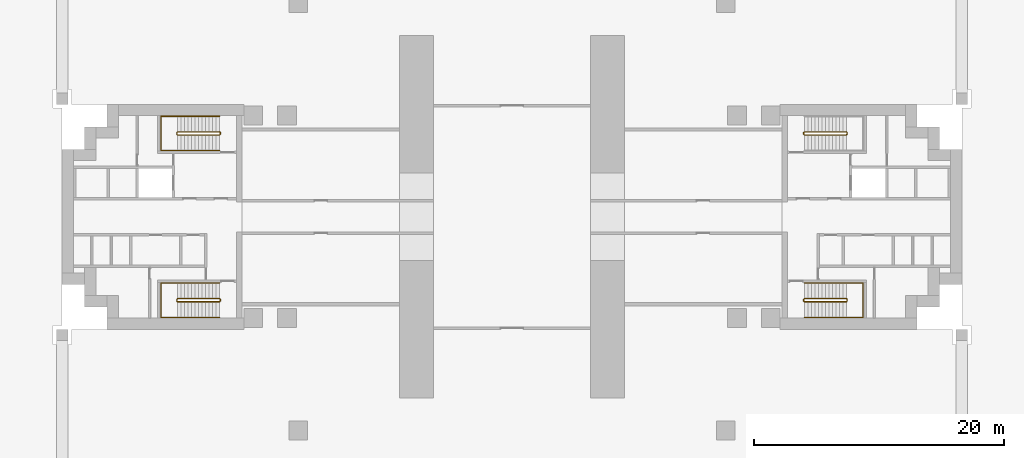
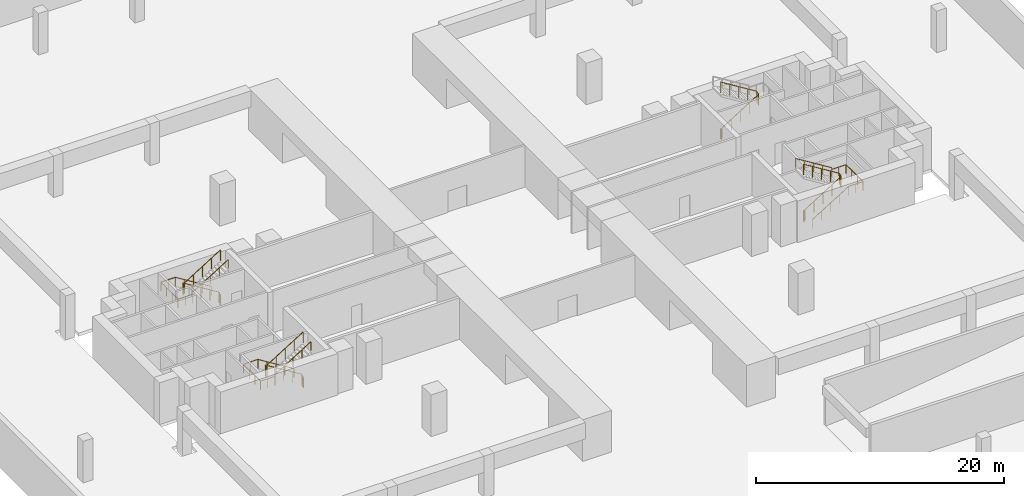
# One storey, part 8 of 9: 7 railings.
"""IFC4 building model written with IfcOpenShell, lengths in metres."""

from ifc_helpers import new_model, si_unit, direction, frame, origin, origin_2d, place, context, subcontext, project, spatial, rectangle, extrude, material, type_object, element, save


model = new_model("IFC4")

# Units and contexts
model_context = context("Model", 3, precision=1e-05, world=origin(), true_north=direction((0.0, 1.0)))
body_context = subcontext(model_context, "Body", "Model", "MODEL_VIEW")
ifc_project = project(units=[si_unit("LENGTHUNIT", "METRE"), si_unit("AREAUNIT", "SQUARE_METRE"), si_unit("VOLUMEUNIT", "CUBIC_METRE"), si_unit("PLANEANGLEUNIT", "RADIAN"), si_unit("MASSUNIT", "GRAM", prefix="KILO")], contexts=[model_context])

# Site, building, storey
site_placement = place(None, origin())
site = spatial("IfcSite", under=ifc_project, at=site_placement, CompositionType="ELEMENT")
building_placement = place(site_placement, origin())
building = spatial("IfcBuilding", under=site, at=building_placement, Name="Perihelion Cross Residences", CompositionType="ELEMENT")
storey_placement = place(building_placement, frame((0.0, 0.0, -4.5)))
storey = spatial("IfcBuildingStorey", under=building, at=storey_placement, Name="B1", CompositionType="ELEMENT", Elevation=-4.5)

# Railings
ifc_material_1 = material(Name="Stainless steel", Category="steel")
railing_type_1 = type_object("IfcRailingType", Name="Stair guard 1100", PredefinedType="GUARDRAIL", material=ifc_material_1)
railing_1_placement = place(storey_placement, frame((23.35009765625, 6.75, 0.0)))
element("IfcRailing", 1, at=railing_1_placement, inside=storey, type_object=railing_type_1, Name="B1 ST-E1 stair guard 1", PredefinedType="GUARDRAIL", context=body_context, shape_type="SweptSolid", body=[
    extrude(rectangle(XDim=0.048095703125, YDim=0.048095703125, at=origin_2d()), frame((0.0, 0.0, 1.076171875), z_axis=(0.0, -1.0, 0.0), x_axis=(1.0, 0.0, 0.0)), (0.0, 0.0, 1.0), 0.14990234375),
    extrude(rectangle(XDim=0.048095703125, YDim=0.048095703125, at=origin_2d()), frame((0.0, -0.14990234375, 1.076171875), z_axis=(0.266417085129, -0.267723051232, 0.925929967433), x_axis=(0.708833529934, 0.705375805398, 0.0)), (0.0, 0.0, 1.0), 0.18701171875),
    extrude(rectangle(XDim=0.048095703125, YDim=0.048095703125, at=origin_2d()), frame((0.0498046875, -0.199951171875, 1.2490234375), z_axis=(0.850623216509, 0.0, 0.525775754039), x_axis=(0.0, 1.0, 0.0)), (0.0, 0.0, 1.0), 3.9501953125),
    extrude(rectangle(XDim=0.048095703125, YDim=0.048095703125, at=origin_2d()), frame((3.409912109375, -0.199951171875, 3.326171875), z_axis=(0.707106781187, 0.707106781187, 0.0), x_axis=(-0.707106781187, 0.707106781187, 0.0)), (0.0, 0.0, 1.0), 0.07080078125),
    extrude(rectangle(XDim=0.048095703125, YDim=0.048095703125, at=origin_2d()), frame((3.4599609375, -0.14990234375, 3.326171875), z_axis=(0.0, 1.0, 0.0), x_axis=(-1.0, 0.0, 0.0)), (0.0, 0.0, 1.0), 0.14990234375),
    extrude(rectangle(XDim=0.048095703125, YDim=0.048095703125, at=origin_2d()), frame((3.4599609375, 0.0, 3.326171875), z_axis=(-0.267629722418, 0.267629722418, 0.925607186314), x_axis=(-0.707106781187, -0.707106781187, 0.0)), (0.0, 0.0, 1.0), 0.18701171875),
    extrude(rectangle(XDim=0.048095703125, YDim=0.048095703125, at=origin_2d()), frame((3.409912109375, 0.050048828125, 3.4990234375), z_axis=(-0.850623216509, 0.0, 0.525775754039), x_axis=(0.0, -1.0, 0.0)), (0.0, 0.0, 1.0), 3.9501953125),
    extrude(rectangle(XDim=0.0419921875, YDim=0.0419921875, at=origin_2d()), origin(), (0.0, 0.0, 1.0), 1.052001953125),
    extrude(rectangle(XDim=0.0419921875, YDim=0.0419921875, at=origin_2d()), frame((0.0, -0.14990234375, 0.0)), (0.0, 0.0, 1.0), 1.052001953125),
    extrude(rectangle(XDim=0.0419921875, YDim=0.0419921875, at=origin_2d()), frame((0.0498046875, -0.199951171875, 0.173095703125)), (0.0, 0.0, 1.0), 1.052001953125),
    extrude(rectangle(XDim=0.0419921875, YDim=0.0419921875, at=origin_2d()), frame((0.889892578125, -0.199951171875, 0.6923828125)), (0.0, 0.0, 1.0), 1.052001953125),
    extrude(rectangle(XDim=0.0419921875, YDim=0.0419921875, at=origin_2d()), frame((1.72998046875, -0.199951171875, 1.21142578125)), (0.0, 0.0, 1.0), 1.052001953125),
    extrude(rectangle(XDim=0.0419921875, YDim=0.0419921875, at=origin_2d()), frame((2.56982421875, -0.199951171875, 1.730712890625)), (0.0, 0.0, 1.0), 1.052001953125),
    extrude(rectangle(XDim=0.0419921875, YDim=0.0419921875, at=origin_2d()), frame((3.409912109375, -0.199951171875, 2.25)), (0.0, 0.0, 1.0), 1.052001953125),
    extrude(rectangle(XDim=0.0419921875, YDim=0.0419921875, at=origin_2d()), frame((3.4599609375, -0.14990234375, 2.25)), (0.0, 0.0, 1.0), 1.052001953125),
    extrude(rectangle(XDim=0.0419921875, YDim=0.0419921875, at=origin_2d()), frame((3.4599609375, 0.0, 2.25)), (0.0, 0.0, 1.0), 1.052001953125),
    extrude(rectangle(XDim=0.0419921875, YDim=0.0419921875, at=origin_2d()), frame((3.409912109375, 0.050048828125, 2.423095703125)), (0.0, 0.0, 1.0), 1.052001953125),
    extrude(rectangle(XDim=0.0419921875, YDim=0.0419921875, at=origin_2d()), frame((2.56982421875, 0.050048828125, 2.9423828125)), (0.0, 0.0, 1.0), 1.052001953125),
    extrude(rectangle(XDim=0.0419921875, YDim=0.0419921875, at=origin_2d()), frame((1.72998046875, 0.050048828125, 3.46142578125)), (0.0, 0.0, 1.0), 1.052001953125),
    extrude(rectangle(XDim=0.0419921875, YDim=0.0419921875, at=origin_2d()), frame((0.889892578125, 0.050048828125, 3.980712890625)), (0.0, 0.0, 1.0), 1.052001953125),
    extrude(rectangle(XDim=0.0419921875, YDim=0.0419921875, at=origin_2d()), frame((0.0498046875, 0.050048828125, 4.5)), (0.0, 0.0, 1.0), 1.052001953125),
])
railing_2_placement = place(storey_placement, frame((23.35009765625, -6.60009765625, 0.0)))
element("IfcRailing", 2, at=railing_2_placement, inside=storey, type_object=railing_type_1, Name="B1 ST-E2 stair guard 1", PredefinedType="GUARDRAIL", context=body_context, shape_type="SweptSolid", body=[
    extrude(rectangle(XDim=0.048095703125, YDim=0.048095703125, at=origin_2d()), frame((0.0, 0.0, 1.076171875), z_axis=(0.0, -1.0, 0.0), x_axis=(1.0, 0.0, 0.0)), (0.0, 0.0, 1.0), 0.14990234375),
    extrude(rectangle(XDim=0.048095703125, YDim=0.048095703125, at=origin_2d()), frame((0.0, -0.14990234375, 1.076171875), z_axis=(0.266417085129, -0.267723051232, 0.925929967433), x_axis=(0.708833529934, 0.705375805398, 0.0)), (0.0, 0.0, 1.0), 0.18701171875),
    extrude(rectangle(XDim=0.048095703125, YDim=0.048095703125, at=origin_2d()), frame((0.0498046875, -0.199951171875, 1.2490234375), z_axis=(0.850623216509, 0.0, 0.525775754039), x_axis=(0.0, 1.0, 0.0)), (0.0, 0.0, 1.0), 3.9501953125),
    extrude(rectangle(XDim=0.048095703125, YDim=0.048095703125, at=origin_2d()), frame((3.409912109375, -0.199951171875, 3.326171875), z_axis=(0.707106781187, 0.707106781187, 0.0), x_axis=(-0.707106781187, 0.707106781187, 0.0)), (0.0, 0.0, 1.0), 0.07080078125),
    extrude(rectangle(XDim=0.048095703125, YDim=0.048095703125, at=origin_2d()), frame((3.4599609375, -0.14990234375, 3.326171875), z_axis=(0.0, 1.0, 0.0), x_axis=(-1.0, 0.0, 0.0)), (0.0, 0.0, 1.0), 0.14990234375),
    extrude(rectangle(XDim=0.048095703125, YDim=0.048095703125, at=origin_2d()), frame((3.4599609375, 0.0, 3.326171875), z_axis=(-0.267629722418, 0.267629722418, 0.925607186314), x_axis=(-0.707106781187, -0.707106781187, 0.0)), (0.0, 0.0, 1.0), 0.18701171875),
    extrude(rectangle(XDim=0.048095703125, YDim=0.048095703125, at=origin_2d()), frame((3.409912109375, 0.050048828125, 3.4990234375), z_axis=(-0.850623216509, 0.0, 0.525775754039), x_axis=(0.0, -1.0, 0.0)), (0.0, 0.0, 1.0), 3.9501953125),
    extrude(rectangle(XDim=0.0419921875, YDim=0.0419921875, at=origin_2d()), origin(), (0.0, 0.0, 1.0), 1.052001953125),
    extrude(rectangle(XDim=0.0419921875, YDim=0.0419921875, at=origin_2d()), frame((0.0, -0.14990234375, 0.0)), (0.0, 0.0, 1.0), 1.052001953125),
    extrude(rectangle(XDim=0.0419921875, YDim=0.0419921875, at=origin_2d()), frame((0.0498046875, -0.199951171875, 0.173095703125)), (0.0, 0.0, 1.0), 1.052001953125),
    extrude(rectangle(XDim=0.0419921875, YDim=0.0419921875, at=origin_2d()), frame((0.889892578125, -0.199951171875, 0.6923828125)), (0.0, 0.0, 1.0), 1.052001953125),
    extrude(rectangle(XDim=0.0419921875, YDim=0.0419921875, at=origin_2d()), frame((1.72998046875, -0.199951171875, 1.21142578125)), (0.0, 0.0, 1.0), 1.052001953125),
    extrude(rectangle(XDim=0.0419921875, YDim=0.0419921875, at=origin_2d()), frame((2.56982421875, -0.199951171875, 1.730712890625)), (0.0, 0.0, 1.0), 1.052001953125),
    extrude(rectangle(XDim=0.0419921875, YDim=0.0419921875, at=origin_2d()), frame((3.409912109375, -0.199951171875, 2.25)), (0.0, 0.0, 1.0), 1.052001953125),
    extrude(rectangle(XDim=0.0419921875, YDim=0.0419921875, at=origin_2d()), frame((3.4599609375, -0.14990234375, 2.25)), (0.0, 0.0, 1.0), 1.052001953125),
    extrude(rectangle(XDim=0.0419921875, YDim=0.0419921875, at=origin_2d()), frame((3.4599609375, 0.0, 2.25)), (0.0, 0.0, 1.0), 1.052001953125),
    extrude(rectangle(XDim=0.0419921875, YDim=0.0419921875, at=origin_2d()), frame((3.409912109375, 0.050048828125, 2.423095703125)), (0.0, 0.0, 1.0), 1.052001953125),
    extrude(rectangle(XDim=0.0419921875, YDim=0.0419921875, at=origin_2d()), frame((2.56982421875, 0.050048828125, 2.9423828125)), (0.0, 0.0, 1.0), 1.052001953125),
    extrude(rectangle(XDim=0.0419921875, YDim=0.0419921875, at=origin_2d()), frame((1.72998046875, 0.050048828125, 3.46142578125)), (0.0, 0.0, 1.0), 1.052001953125),
    extrude(rectangle(XDim=0.0419921875, YDim=0.0419921875, at=origin_2d()), frame((0.889892578125, 0.050048828125, 3.980712890625)), (0.0, 0.0, 1.0), 1.052001953125),
    extrude(rectangle(XDim=0.0419921875, YDim=0.0419921875, at=origin_2d()), frame((0.0498046875, 0.050048828125, 4.5)), (0.0, 0.0, 1.0), 1.052001953125),
])
railing_3_placement = place(storey_placement, frame((-23.35009765625, 6.60009765625, 0.0)))
element("IfcRailing", 3, at=railing_3_placement, inside=storey, type_object=railing_type_1, Name="B1 ST-W1 stair guard 1", PredefinedType="GUARDRAIL", context=body_context, shape_type="SweptSolid", body=[
    extrude(rectangle(XDim=0.048095703125, YDim=0.048095703125, at=origin_2d()), frame((0.0, 0.0, 1.076171875), z_axis=(0.0, 1.0, 0.0), x_axis=(-1.0, 0.0, 0.0)), (0.0, 0.0, 1.0), 0.14990234375),
    extrude(rectangle(XDim=0.048095703125, YDim=0.048095703125, at=origin_2d()), frame((0.0, 0.14990234375, 1.076171875), z_axis=(-0.266417085129, 0.267723051232, 0.925929967433), x_axis=(-0.708833529934, -0.705375805398, 0.0)), (0.0, 0.0, 1.0), 0.18701171875),
    extrude(rectangle(XDim=0.048095703125, YDim=0.048095703125, at=origin_2d()), frame((-0.0498046875, 0.199951171875, 1.2490234375), z_axis=(-0.850623216509, 0.0, 0.525775754039), x_axis=(0.0, -1.0, 0.0)), (0.0, 0.0, 1.0), 3.9501953125),
    extrude(rectangle(XDim=0.048095703125, YDim=0.048095703125, at=origin_2d()), frame((-3.409912109375, 0.199951171875, 3.326171875), z_axis=(-0.707106781187, -0.707106781187, 0.0), x_axis=(0.707106781187, -0.707106781187, 0.0)), (0.0, 0.0, 1.0), 0.07080078125),
    extrude(rectangle(XDim=0.048095703125, YDim=0.048095703125, at=origin_2d()), frame((-3.4599609375, 0.14990234375, 3.326171875), z_axis=(0.0, -1.0, 0.0), x_axis=(1.0, 0.0, 0.0)), (0.0, 0.0, 1.0), 0.14990234375),
    extrude(rectangle(XDim=0.048095703125, YDim=0.048095703125, at=origin_2d()), frame((-3.4599609375, 0.0, 3.326171875), z_axis=(0.267629722418, -0.267629722418, 0.925607186314), x_axis=(0.707106781187, 0.707106781187, 0.0)), (0.0, 0.0, 1.0), 0.18701171875),
    extrude(rectangle(XDim=0.048095703125, YDim=0.048095703125, at=origin_2d()), frame((-3.409912109375, -0.050048828125, 3.4990234375), z_axis=(0.850623216509, 0.0, 0.525775754039), x_axis=(0.0, 1.0, 0.0)), (0.0, 0.0, 1.0), 3.9501953125),
    extrude(rectangle(XDim=0.0419921875, YDim=0.0419921875, at=origin_2d()), origin(), (0.0, 0.0, 1.0), 1.052001953125),
    extrude(rectangle(XDim=0.0419921875, YDim=0.0419921875, at=origin_2d()), frame((0.0, 0.14990234375, 0.0)), (0.0, 0.0, 1.0), 1.052001953125),
    extrude(rectangle(XDim=0.0419921875, YDim=0.0419921875, at=origin_2d()), frame((-0.0498046875, 0.199951171875, 0.173095703125)), (0.0, 0.0, 1.0), 1.052001953125),
    extrude(rectangle(XDim=0.0419921875, YDim=0.0419921875, at=origin_2d()), frame((-0.889892578125, 0.199951171875, 0.6923828125)), (0.0, 0.0, 1.0), 1.052001953125),
    extrude(rectangle(XDim=0.0419921875, YDim=0.0419921875, at=origin_2d()), frame((-1.72998046875, 0.199951171875, 1.21142578125)), (0.0, 0.0, 1.0), 1.052001953125),
    extrude(rectangle(XDim=0.0419921875, YDim=0.0419921875, at=origin_2d()), frame((-2.56982421875, 0.199951171875, 1.730712890625)), (0.0, 0.0, 1.0), 1.052001953125),
    extrude(rectangle(XDim=0.0419921875, YDim=0.0419921875, at=origin_2d()), frame((-3.409912109375, 0.199951171875, 2.25)), (0.0, 0.0, 1.0), 1.052001953125),
    extrude(rectangle(XDim=0.0419921875, YDim=0.0419921875, at=origin_2d()), frame((-3.4599609375, 0.14990234375, 2.25)), (0.0, 0.0, 1.0), 1.052001953125),
    extrude(rectangle(XDim=0.0419921875, YDim=0.0419921875, at=origin_2d()), frame((-3.4599609375, 0.0, 2.25)), (0.0, 0.0, 1.0), 1.052001953125),
    extrude(rectangle(XDim=0.0419921875, YDim=0.0419921875, at=origin_2d()), frame((-3.409912109375, -0.050048828125, 2.423095703125)), (0.0, 0.0, 1.0), 1.052001953125),
    extrude(rectangle(XDim=0.0419921875, YDim=0.0419921875, at=origin_2d()), frame((-2.56982421875, -0.050048828125, 2.9423828125)), (0.0, 0.0, 1.0), 1.052001953125),
    extrude(rectangle(XDim=0.0419921875, YDim=0.0419921875, at=origin_2d()), frame((-1.72998046875, -0.050048828125, 3.46142578125)), (0.0, 0.0, 1.0), 1.052001953125),
    extrude(rectangle(XDim=0.0419921875, YDim=0.0419921875, at=origin_2d()), frame((-0.889892578125, -0.050048828125, 3.980712890625)), (0.0, 0.0, 1.0), 1.052001953125),
    extrude(rectangle(XDim=0.0419921875, YDim=0.0419921875, at=origin_2d()), frame((-0.0498046875, -0.050048828125, 4.5)), (0.0, 0.0, 1.0), 1.052001953125),
])
railing_4_placement = place(storey_placement, frame((-23.35009765625, -6.75, 0.0)))
element("IfcRailing", 4, at=railing_4_placement, inside=storey, type_object=railing_type_1, Name="B1 ST-W2 stair guard 1", PredefinedType="GUARDRAIL", context=body_context, shape_type="SweptSolid", body=[
    extrude(rectangle(XDim=0.048095703125, YDim=0.048095703125, at=origin_2d()), frame((0.0, 0.0, 1.076171875), z_axis=(0.0, 1.0, 0.0), x_axis=(-1.0, 0.0, 0.0)), (0.0, 0.0, 1.0), 0.14990234375),
    extrude(rectangle(XDim=0.048095703125, YDim=0.048095703125, at=origin_2d()), frame((0.0, 0.14990234375, 1.076171875), z_axis=(-0.266417085129, 0.267723051232, 0.925929967433), x_axis=(-0.708833529934, -0.705375805398, 0.0)), (0.0, 0.0, 1.0), 0.18701171875),
    extrude(rectangle(XDim=0.048095703125, YDim=0.048095703125, at=origin_2d()), frame((-0.0498046875, 0.199951171875, 1.2490234375), z_axis=(-0.850623216509, 0.0, 0.525775754039), x_axis=(0.0, -1.0, 0.0)), (0.0, 0.0, 1.0), 3.9501953125),
    extrude(rectangle(XDim=0.048095703125, YDim=0.048095703125, at=origin_2d()), frame((-3.409912109375, 0.199951171875, 3.326171875), z_axis=(-0.707106781187, -0.707106781187, 0.0), x_axis=(0.707106781187, -0.707106781187, 0.0)), (0.0, 0.0, 1.0), 0.07080078125),
    extrude(rectangle(XDim=0.048095703125, YDim=0.048095703125, at=origin_2d()), frame((-3.4599609375, 0.14990234375, 3.326171875), z_axis=(0.0, -1.0, 0.0), x_axis=(1.0, 0.0, 0.0)), (0.0, 0.0, 1.0), 0.14990234375),
    extrude(rectangle(XDim=0.048095703125, YDim=0.048095703125, at=origin_2d()), frame((-3.4599609375, 0.0, 3.326171875), z_axis=(0.267629722418, -0.267629722418, 0.925607186314), x_axis=(0.707106781187, 0.707106781187, 0.0)), (0.0, 0.0, 1.0), 0.18701171875),
    extrude(rectangle(XDim=0.048095703125, YDim=0.048095703125, at=origin_2d()), frame((-3.409912109375, -0.050048828125, 3.4990234375), z_axis=(0.850623216509, 0.0, 0.525775754039), x_axis=(0.0, 1.0, 0.0)), (0.0, 0.0, 1.0), 3.9501953125),
    extrude(rectangle(XDim=0.0419921875, YDim=0.0419921875, at=origin_2d()), origin(), (0.0, 0.0, 1.0), 1.052001953125),
    extrude(rectangle(XDim=0.0419921875, YDim=0.0419921875, at=origin_2d()), frame((0.0, 0.14990234375, 0.0)), (0.0, 0.0, 1.0), 1.052001953125),
    extrude(rectangle(XDim=0.0419921875, YDim=0.0419921875, at=origin_2d()), frame((-0.0498046875, 0.199951171875, 0.173095703125)), (0.0, 0.0, 1.0), 1.052001953125),
    extrude(rectangle(XDim=0.0419921875, YDim=0.0419921875, at=origin_2d()), frame((-0.889892578125, 0.199951171875, 0.6923828125)), (0.0, 0.0, 1.0), 1.052001953125),
    extrude(rectangle(XDim=0.0419921875, YDim=0.0419921875, at=origin_2d()), frame((-1.72998046875, 0.199951171875, 1.21142578125)), (0.0, 0.0, 1.0), 1.052001953125),
    extrude(rectangle(XDim=0.0419921875, YDim=0.0419921875, at=origin_2d()), frame((-2.56982421875, 0.199951171875, 1.730712890625)), (0.0, 0.0, 1.0), 1.052001953125),
    extrude(rectangle(XDim=0.0419921875, YDim=0.0419921875, at=origin_2d()), frame((-3.409912109375, 0.199951171875, 2.25)), (0.0, 0.0, 1.0), 1.052001953125),
    extrude(rectangle(XDim=0.0419921875, YDim=0.0419921875, at=origin_2d()), frame((-3.4599609375, 0.14990234375, 2.25)), (0.0, 0.0, 1.0), 1.052001953125),
    extrude(rectangle(XDim=0.0419921875, YDim=0.0419921875, at=origin_2d()), frame((-3.4599609375, 0.0, 2.25)), (0.0, 0.0, 1.0), 1.052001953125),
    extrude(rectangle(XDim=0.0419921875, YDim=0.0419921875, at=origin_2d()), frame((-3.409912109375, -0.050048828125, 2.423095703125)), (0.0, 0.0, 1.0), 1.052001953125),
    extrude(rectangle(XDim=0.0419921875, YDim=0.0419921875, at=origin_2d()), frame((-2.56982421875, -0.050048828125, 2.9423828125)), (0.0, 0.0, 1.0), 1.052001953125),
    extrude(rectangle(XDim=0.0419921875, YDim=0.0419921875, at=origin_2d()), frame((-1.72998046875, -0.050048828125, 3.46142578125)), (0.0, 0.0, 1.0), 1.052001953125),
    extrude(rectangle(XDim=0.0419921875, YDim=0.0419921875, at=origin_2d()), frame((-0.889892578125, -0.050048828125, 3.980712890625)), (0.0, 0.0, 1.0), 1.052001953125),
    extrude(rectangle(XDim=0.0419921875, YDim=0.0419921875, at=origin_2d()), frame((-0.0498046875, -0.050048828125, 4.5)), (0.0, 0.0, 1.0), 1.052001953125),
])
ifc_material_2 = material(Name="Stainless steel", Category="steel")
railing_type_2 = type_object("IfcRailingType", Name="Stair handrail 900", PredefinedType="HANDRAIL", material=ifc_material_2)
railing_5_placement = place(storey_placement, frame((23.39990234375, -8.050048828125, 0.173095703125)))
element("IfcRailing", 5, at=railing_5_placement, inside=storey, type_object=railing_type_2, Name="B1 ST-E2 stair handrail 1", PredefinedType="HANDRAIL", context=body_context, shape_type="SweptSolid", body=[
    extrude(rectangle(XDim=0.048095703125, YDim=0.048095703125, at=origin_2d()), frame((0.0, 0.0, 0.8759765625), z_axis=(0.850623216509, 0.0, 0.525775754039), x_axis=(0.0, 1.0, 0.0)), (0.0, 0.0, 1.0), 3.9501953125),
    extrude(rectangle(XDim=0.048095703125, YDim=0.048095703125, at=origin_2d()), frame((3.360107421875, 0.0, 2.95263671875), z_axis=(1.0, 0.0, 0.0), x_axis=(0.0, 1.0, 0.0)), (0.0, 0.0, 1.0), 1.340087890625),
    extrude(rectangle(XDim=0.048095703125, YDim=0.048095703125, at=origin_2d()), frame((4.7001953125, 0.0, 2.95263671875), z_axis=(0.0, 1.0, 0.0), x_axis=(-1.0, 0.0, 0.0)), (0.0, 0.0, 1.0), 2.75),
    extrude(rectangle(XDim=0.048095703125, YDim=0.048095703125, at=origin_2d()), frame((4.7001953125, 2.75, 2.95263671875), z_axis=(-1.0, 0.0, 0.0), x_axis=(0.0, -1.0, 0.0)), (0.0, 0.0, 1.0), 1.340087890625),
    extrude(rectangle(XDim=0.048095703125, YDim=0.048095703125, at=origin_2d()), frame((3.360107421875, 2.75, 2.95263671875), z_axis=(0.0, 0.0, 1.0), x_axis=(1.0, 0.0, 0.0)), (0.0, 0.0, 1.0), 0.173095703125),
    extrude(rectangle(XDim=0.048095703125, YDim=0.048095703125, at=origin_2d()), frame((3.360107421875, 2.75, 3.1259765625), z_axis=(-0.850623216509, 0.0, 0.525775754039), x_axis=(0.0, -1.0, 0.0)), (0.0, 0.0, 1.0), 3.9501953125),
    extrude(rectangle(XDim=0.0419921875, YDim=0.0419921875, at=origin_2d()), origin(), (0.0, 0.0, 1.0), 0.851806640625),
    extrude(rectangle(XDim=0.0419921875, YDim=0.0419921875, at=origin_2d()), frame((0.840087890625, 0.0, 0.519287109375)), (0.0, 0.0, 1.0), 0.851806640625),
    extrude(rectangle(XDim=0.0419921875, YDim=0.0419921875, at=origin_2d()), frame((1.68017578125, 0.0, 1.03857421875)), (0.0, 0.0, 1.0), 0.851806640625),
    extrude(rectangle(XDim=0.0419921875, YDim=0.0419921875, at=origin_2d()), frame((2.52001953125, 0.0, 1.5576171875)), (0.0, 0.0, 1.0), 0.851806640625),
    extrude(rectangle(XDim=0.0419921875, YDim=0.0419921875, at=origin_2d()), frame((3.360107421875, 0.0, 2.076904296875)), (0.0, 0.0, 1.0), 0.851806640625),
    extrude(rectangle(XDim=0.0419921875, YDim=0.0419921875, at=origin_2d()), frame((4.0302734375, 0.0, 2.076904296875)), (0.0, 0.0, 1.0), 0.851806640625),
    extrude(rectangle(XDim=0.0419921875, YDim=0.0419921875, at=origin_2d()), frame((4.7001953125, 0.0, 2.076904296875)), (0.0, 0.0, 1.0), 0.851806640625),
    extrude(rectangle(XDim=0.0419921875, YDim=0.0419921875, at=origin_2d()), frame((4.7001953125, 0.916748046875, 2.076904296875)), (0.0, 0.0, 1.0), 0.851806640625),
    extrude(rectangle(XDim=0.0419921875, YDim=0.0419921875, at=origin_2d()), frame((4.7001953125, 1.833251953125, 2.076904296875)), (0.0, 0.0, 1.0), 0.851806640625),
    extrude(rectangle(XDim=0.0419921875, YDim=0.0419921875, at=origin_2d()), frame((4.7001953125, 2.75, 2.076904296875)), (0.0, 0.0, 1.0), 0.851806640625),
    extrude(rectangle(XDim=0.0419921875, YDim=0.0419921875, at=origin_2d()), frame((4.0302734375, 2.75, 2.076904296875)), (0.0, 0.0, 1.0), 0.851806640625),
    extrude(rectangle(XDim=0.0419921875, YDim=0.0419921875, at=origin_2d()), frame((3.360107421875, 2.75, 2.076904296875)), (0.0, 0.0, 1.0), 0.851806640625),
    extrude(rectangle(XDim=0.0419921875, YDim=0.0419921875, at=origin_2d()), frame((3.360107421875, 2.75, 2.25)), (0.0, 0.0, 1.0), 0.851806640625),
    extrude(rectangle(XDim=0.0419921875, YDim=0.0419921875, at=origin_2d()), frame((2.52001953125, 2.75, 2.769287109375)), (0.0, 0.0, 1.0), 0.851806640625),
    extrude(rectangle(XDim=0.0419921875, YDim=0.0419921875, at=origin_2d()), frame((1.68017578125, 2.75, 3.28857421875)), (0.0, 0.0, 1.0), 0.851806640625),
    extrude(rectangle(XDim=0.0419921875, YDim=0.0419921875, at=origin_2d()), frame((0.840087890625, 2.75, 3.8076171875)), (0.0, 0.0, 1.0), 0.851806640625),
    extrude(rectangle(XDim=0.0419921875, YDim=0.0419921875, at=origin_2d()), frame((0.0, 2.75, 4.326904296875)), (0.0, 0.0, 1.0), 0.851806640625),
])
railing_6_placement = place(storey_placement, frame((-23.39990234375, 8.050048828125, 0.173095703125)))
element("IfcRailing", 6, at=railing_6_placement, inside=storey, type_object=railing_type_2, Name="B1 ST-W1 stair handrail 1", PredefinedType="HANDRAIL", context=body_context, shape_type="SweptSolid", body=[
    extrude(rectangle(XDim=0.048095703125, YDim=0.048095703125, at=origin_2d()), frame((0.0, 0.0, 0.8759765625), z_axis=(-0.850623216509, 0.0, 0.525775754039), x_axis=(0.0, -1.0, 0.0)), (0.0, 0.0, 1.0), 3.9501953125),
    extrude(rectangle(XDim=0.048095703125, YDim=0.048095703125, at=origin_2d()), frame((-3.360107421875, 0.0, 2.95263671875), z_axis=(-1.0, 0.0, 0.0), x_axis=(0.0, -1.0, 0.0)), (0.0, 0.0, 1.0), 1.340087890625),
    extrude(rectangle(XDim=0.048095703125, YDim=0.048095703125, at=origin_2d()), frame((-4.7001953125, 0.0, 2.95263671875), z_axis=(0.0, -1.0, 0.0), x_axis=(1.0, 0.0, 0.0)), (0.0, 0.0, 1.0), 2.75),
    extrude(rectangle(XDim=0.048095703125, YDim=0.048095703125, at=origin_2d()), frame((-4.7001953125, -2.75, 2.95263671875), z_axis=(1.0, 0.0, 0.0), x_axis=(0.0, 1.0, 0.0)), (0.0, 0.0, 1.0), 1.340087890625),
    extrude(rectangle(XDim=0.048095703125, YDim=0.048095703125, at=origin_2d()), frame((-3.360107421875, -2.75, 2.95263671875), z_axis=(0.0, 0.0, 1.0), x_axis=(1.0, 0.0, 0.0)), (0.0, 0.0, 1.0), 0.173095703125),
    extrude(rectangle(XDim=0.048095703125, YDim=0.048095703125, at=origin_2d()), frame((-3.360107421875, -2.75, 3.1259765625), z_axis=(0.850623216509, 0.0, 0.525775754039), x_axis=(0.0, 1.0, 0.0)), (0.0, 0.0, 1.0), 3.9501953125),
    extrude(rectangle(XDim=0.0419921875, YDim=0.0419921875, at=origin_2d()), origin(), (0.0, 0.0, 1.0), 0.851806640625),
    extrude(rectangle(XDim=0.0419921875, YDim=0.0419921875, at=origin_2d()), frame((-0.840087890625, 0.0, 0.519287109375)), (0.0, 0.0, 1.0), 0.851806640625),
    extrude(rectangle(XDim=0.0419921875, YDim=0.0419921875, at=origin_2d()), frame((-1.68017578125, 0.0, 1.03857421875)), (0.0, 0.0, 1.0), 0.851806640625),
    extrude(rectangle(XDim=0.0419921875, YDim=0.0419921875, at=origin_2d()), frame((-2.52001953125, 0.0, 1.5576171875)), (0.0, 0.0, 1.0), 0.851806640625),
    extrude(rectangle(XDim=0.0419921875, YDim=0.0419921875, at=origin_2d()), frame((-3.360107421875, 0.0, 2.076904296875)), (0.0, 0.0, 1.0), 0.851806640625),
    extrude(rectangle(XDim=0.0419921875, YDim=0.0419921875, at=origin_2d()), frame((-4.0302734375, 0.0, 2.076904296875)), (0.0, 0.0, 1.0), 0.851806640625),
    extrude(rectangle(XDim=0.0419921875, YDim=0.0419921875, at=origin_2d()), frame((-4.7001953125, 0.0, 2.076904296875)), (0.0, 0.0, 1.0), 0.851806640625),
    extrude(rectangle(XDim=0.0419921875, YDim=0.0419921875, at=origin_2d()), frame((-4.7001953125, -0.916748046875, 2.076904296875)), (0.0, 0.0, 1.0), 0.851806640625),
    extrude(rectangle(XDim=0.0419921875, YDim=0.0419921875, at=origin_2d()), frame((-4.7001953125, -1.833251953125, 2.076904296875)), (0.0, 0.0, 1.0), 0.851806640625),
    extrude(rectangle(XDim=0.0419921875, YDim=0.0419921875, at=origin_2d()), frame((-4.7001953125, -2.75, 2.076904296875)), (0.0, 0.0, 1.0), 0.851806640625),
    extrude(rectangle(XDim=0.0419921875, YDim=0.0419921875, at=origin_2d()), frame((-4.0302734375, -2.75, 2.076904296875)), (0.0, 0.0, 1.0), 0.851806640625),
    extrude(rectangle(XDim=0.0419921875, YDim=0.0419921875, at=origin_2d()), frame((-3.360107421875, -2.75, 2.076904296875)), (0.0, 0.0, 1.0), 0.851806640625),
    extrude(rectangle(XDim=0.0419921875, YDim=0.0419921875, at=origin_2d()), frame((-3.360107421875, -2.75, 2.25)), (0.0, 0.0, 1.0), 0.851806640625),
    extrude(rectangle(XDim=0.0419921875, YDim=0.0419921875, at=origin_2d()), frame((-2.52001953125, -2.75, 2.769287109375)), (0.0, 0.0, 1.0), 0.851806640625),
    extrude(rectangle(XDim=0.0419921875, YDim=0.0419921875, at=origin_2d()), frame((-1.68017578125, -2.75, 3.28857421875)), (0.0, 0.0, 1.0), 0.851806640625),
    extrude(rectangle(XDim=0.0419921875, YDim=0.0419921875, at=origin_2d()), frame((-0.840087890625, -2.75, 3.8076171875)), (0.0, 0.0, 1.0), 0.851806640625),
    extrude(rectangle(XDim=0.0419921875, YDim=0.0419921875, at=origin_2d()), frame((0.0, -2.75, 4.326904296875)), (0.0, 0.0, 1.0), 0.851806640625),
])
railing_7_placement = place(storey_placement, frame((-23.39990234375, -5.300048828125, 0.173095703125)))
element("IfcRailing", 7, at=railing_7_placement, inside=storey, type_object=railing_type_2, Name="B1 ST-W2 stair handrail 1", PredefinedType="HANDRAIL", context=body_context, shape_type="SweptSolid", body=[
    extrude(rectangle(XDim=0.048095703125, YDim=0.048095703125, at=origin_2d()), frame((0.0, 0.0, 0.8759765625), z_axis=(-0.850623216509, 0.0, 0.525775754039), x_axis=(0.0, -1.0, 0.0)), (0.0, 0.0, 1.0), 3.9501953125),
    extrude(rectangle(XDim=0.048095703125, YDim=0.048095703125, at=origin_2d()), frame((-3.360107421875, 0.0, 2.95263671875), z_axis=(-1.0, 0.0, 0.0), x_axis=(0.0, -1.0, 0.0)), (0.0, 0.0, 1.0), 1.340087890625),
    extrude(rectangle(XDim=0.048095703125, YDim=0.048095703125, at=origin_2d()), frame((-4.7001953125, 0.0, 2.95263671875), z_axis=(0.0, -1.0, 0.0), x_axis=(1.0, 0.0, 0.0)), (0.0, 0.0, 1.0), 2.75),
    extrude(rectangle(XDim=0.048095703125, YDim=0.048095703125, at=origin_2d()), frame((-4.7001953125, -2.75, 2.95263671875), z_axis=(1.0, 0.0, 0.0), x_axis=(0.0, 1.0, 0.0)), (0.0, 0.0, 1.0), 1.340087890625),
    extrude(rectangle(XDim=0.048095703125, YDim=0.048095703125, at=origin_2d()), frame((-3.360107421875, -2.75, 2.95263671875), z_axis=(0.0, 0.0, 1.0), x_axis=(1.0, 0.0, 0.0)), (0.0, 0.0, 1.0), 0.173095703125),
    extrude(rectangle(XDim=0.048095703125, YDim=0.048095703125, at=origin_2d()), frame((-3.360107421875, -2.75, 3.1259765625), z_axis=(0.850623216509, 0.0, 0.525775754039), x_axis=(0.0, 1.0, 0.0)), (0.0, 0.0, 1.0), 3.9501953125),
    extrude(rectangle(XDim=0.0419921875, YDim=0.0419921875, at=origin_2d()), origin(), (0.0, 0.0, 1.0), 0.851806640625),
    extrude(rectangle(XDim=0.0419921875, YDim=0.0419921875, at=origin_2d()), frame((-0.840087890625, 0.0, 0.519287109375)), (0.0, 0.0, 1.0), 0.851806640625),
    extrude(rectangle(XDim=0.0419921875, YDim=0.0419921875, at=origin_2d()), frame((-1.68017578125, 0.0, 1.03857421875)), (0.0, 0.0, 1.0), 0.851806640625),
    extrude(rectangle(XDim=0.0419921875, YDim=0.0419921875, at=origin_2d()), frame((-2.52001953125, 0.0, 1.5576171875)), (0.0, 0.0, 1.0), 0.851806640625),
    extrude(rectangle(XDim=0.0419921875, YDim=0.0419921875, at=origin_2d()), frame((-3.360107421875, 0.0, 2.076904296875)), (0.0, 0.0, 1.0), 0.851806640625),
    extrude(rectangle(XDim=0.0419921875, YDim=0.0419921875, at=origin_2d()), frame((-4.0302734375, 0.0, 2.076904296875)), (0.0, 0.0, 1.0), 0.851806640625),
    extrude(rectangle(XDim=0.0419921875, YDim=0.0419921875, at=origin_2d()), frame((-4.7001953125, 0.0, 2.076904296875)), (0.0, 0.0, 1.0), 0.851806640625),
    extrude(rectangle(XDim=0.0419921875, YDim=0.0419921875, at=origin_2d()), frame((-4.7001953125, -0.916748046875, 2.076904296875)), (0.0, 0.0, 1.0), 0.851806640625),
    extrude(rectangle(XDim=0.0419921875, YDim=0.0419921875, at=origin_2d()), frame((-4.7001953125, -1.833251953125, 2.076904296875)), (0.0, 0.0, 1.0), 0.851806640625),
    extrude(rectangle(XDim=0.0419921875, YDim=0.0419921875, at=origin_2d()), frame((-4.7001953125, -2.75, 2.076904296875)), (0.0, 0.0, 1.0), 0.851806640625),
    extrude(rectangle(XDim=0.0419921875, YDim=0.0419921875, at=origin_2d()), frame((-4.0302734375, -2.75, 2.076904296875)), (0.0, 0.0, 1.0), 0.851806640625),
    extrude(rectangle(XDim=0.0419921875, YDim=0.0419921875, at=origin_2d()), frame((-3.360107421875, -2.75, 2.076904296875)), (0.0, 0.0, 1.0), 0.851806640625),
    extrude(rectangle(XDim=0.0419921875, YDim=0.0419921875, at=origin_2d()), frame((-3.360107421875, -2.75, 2.25)), (0.0, 0.0, 1.0), 0.851806640625),
    extrude(rectangle(XDim=0.0419921875, YDim=0.0419921875, at=origin_2d()), frame((-2.52001953125, -2.75, 2.769287109375)), (0.0, 0.0, 1.0), 0.851806640625),
    extrude(rectangle(XDim=0.0419921875, YDim=0.0419921875, at=origin_2d()), frame((-1.68017578125, -2.75, 3.28857421875)), (0.0, 0.0, 1.0), 0.851806640625),
    extrude(rectangle(XDim=0.0419921875, YDim=0.0419921875, at=origin_2d()), frame((-0.840087890625, -2.75, 3.8076171875)), (0.0, 0.0, 1.0), 0.851806640625),
    extrude(rectangle(XDim=0.0419921875, YDim=0.0419921875, at=origin_2d()), frame((0.0, -2.75, 4.326904296875)), (0.0, 0.0, 1.0), 0.851806640625),
])

save(model, "model.ifc")
